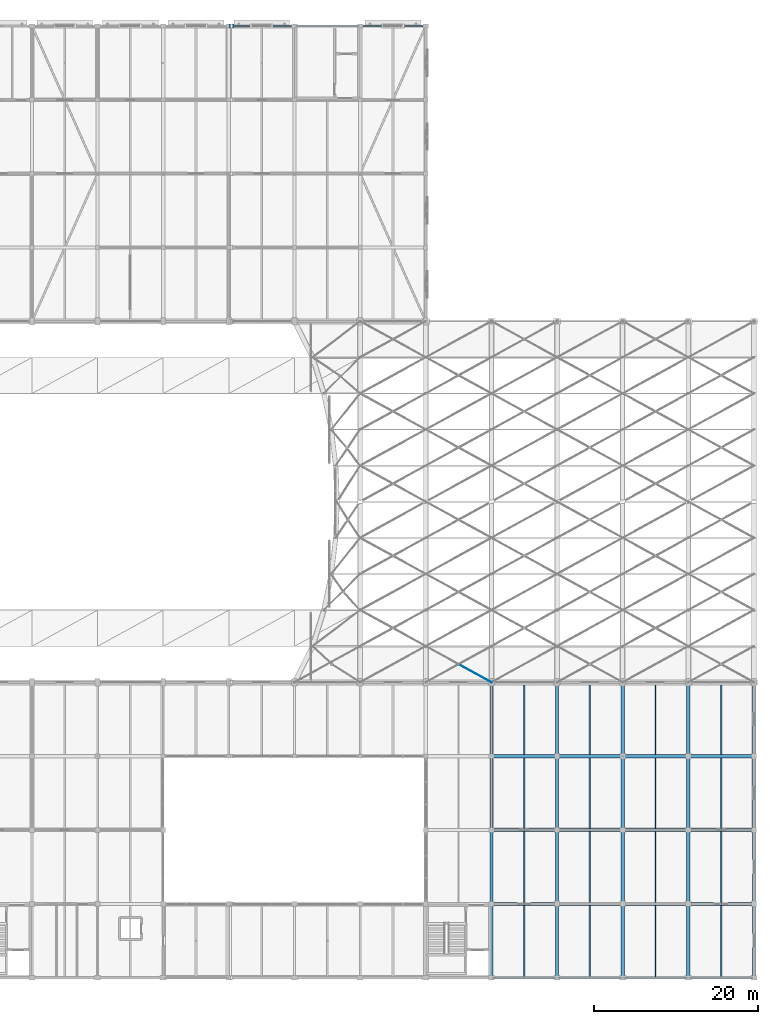
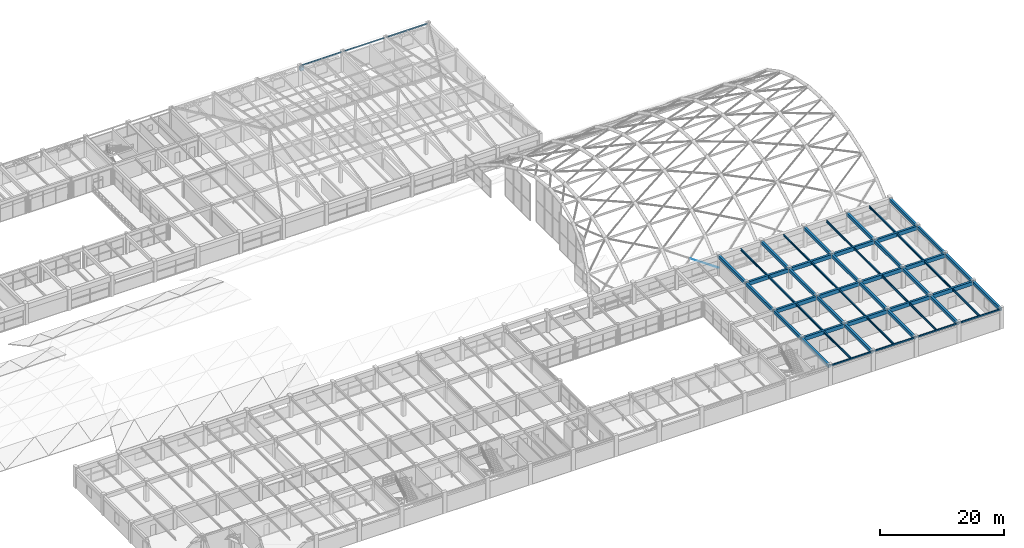
# One storey, part 77 of 126: 56 beams, 1 member.
"""IFC4 building model written with IfcOpenShell, lengths in metres."""

import ifcopenshell
import ifcopenshell.guid

model = None  # the IFC model being written
_history = None  # IfcOwnerHistory: only IFC2X3 demands one
_inside = {}  # id of a spatial element -> (the spatial element, [elements in it])
_under = {}  # id of a project, library or spatial element -> (it, [spatial elements below it])
_declared = {}  # id of a project -> (the project, [libraries it declares])
_typed = {}  # id of a type object -> (the type object, [elements of that type])
_made_of = {}  # id of a material, layer set ... -> (it, [elements and type objects made of it])


def new_model(schema):
    """Start an empty IFC model of exactly this schema.

    Asked for "IFC4X3", IfcOpenShell would pick the latest addendum, in which some entities
    have other attributes; the version numbers below select the first issue.
    IFC2X3 requires an IfcOwnerHistory on every rooted entity: one is made here for all.
    """
    global model, _history
    if schema == "IFC4X3":
        model = ifcopenshell.file(schema_version=(4, 3, 0, 0))
    else:
        model = ifcopenshell.file(schema=schema)
    _inside.clear()
    _under.clear()
    _declared.clear()
    _typed.clear()
    _made_of.clear()
    _history = None
    if model.schema == "IFC2X3":
        org = make("IfcOrganization", Name="unknown")
        user = make(
            "IfcPersonAndOrganization",
            ThePerson=make("IfcPerson", FamilyName="unknown"),
            TheOrganization=org,
        )
        app = make(
            "IfcApplication",
            ApplicationDeveloper=org,
            Version="unknown",
            ApplicationFullName="unknown",
            ApplicationIdentifier="unknown",
        )
        _history = make(
            "IfcOwnerHistory",
            OwningUser=user,
            OwningApplication=app,
            ChangeAction="ADDED",
            CreationDate=0,
        )
    return model


def make(cls, **values):
    """One entity of the class cls with the attributes given. An attribute that is None is left unset."""
    return model.create_entity(
        cls, **{name: value for name, value in values.items() if value is not None}
    )


def rooted(cls, **values):
    """An entity with a GlobalId (a new one), such as an element, a storey or a relation."""
    return make(cls, GlobalId=ifcopenshell.guid.new(), OwnerHistory=_history, **values)


def si_unit(unit_type, name, prefix=None):
    """IfcSIUnit, for example si_unit("LENGTHUNIT", "METRE", prefix="MILLI")."""
    return make("IfcSIUnit", UnitType=unit_type, Prefix=prefix, Name=name)


def assignment(units):
    """IfcUnitAssignment: the units of a project."""
    return None if units is None else make("IfcUnitAssignment", Units=units)


def point(xyz):
    """IfcCartesianPoint."""
    return None if xyz is None else make("IfcCartesianPoint", Coordinates=xyz)


def direction(xyz):
    """IfcDirection."""
    return None if xyz is None else make("IfcDirection", DirectionRatios=xyz)


def frame(location, z_axis=None, x_axis=None):
    """IfcAxis2Placement3D, a coordinate frame: its origin and axes. An axis left out is left unset."""
    return make(
        "IfcAxis2Placement3D",
        Location=point(location),
        Axis=direction(z_axis),
        RefDirection=direction(x_axis),
    )


def frame_2d(location, x_axis=None):
    """IfcAxis2Placement2D, a coordinate frame in the plane: its origin and x axis."""
    return make(
        "IfcAxis2Placement2D", Location=point(location), RefDirection=direction(x_axis)
    )


def origin():
    """The frame at (0, 0, 0) with its axes left unset."""
    return frame((0.0, 0.0, 0.0))


def origin_2d():
    """The frame at (0, 0) in the plane with its x axis left unset."""
    return frame_2d((0.0, 0.0))


def place(relative_to, where):
    """IfcLocalPlacement: puts the frame where relative to a parent placement (None: the world)."""
    return make(
        "IfcLocalPlacement", PlacementRelTo=relative_to, RelativePlacement=where
    )


def context(
    kind, dimensions, precision=None, world=None, true_north=None, identifier=None
):
    """IfcGeometricRepresentationContext, for example the 3D "Model" context."""
    return make(
        "IfcGeometricRepresentationContext",
        ContextIdentifier=identifier,
        ContextType=kind,
        CoordinateSpaceDimension=dimensions,
        Precision=precision,
        WorldCoordinateSystem=world,
        TrueNorth=true_north,
    )


def subcontext(parent, identifier, kind, view, scale=None):
    """IfcGeometricRepresentationSubContext, for example "Body" below "Model"."""
    return make(
        "IfcGeometricRepresentationSubContext",
        ContextIdentifier=identifier,
        ContextType=kind,
        ParentContext=parent,
        TargetScale=scale,
        TargetView=view,
    )


def project(units=None, contexts=None):
    """IfcProject with its units and contexts."""
    return rooted(
        "IfcProject",
        Name="project",
        RepresentationContexts=contexts,
        UnitsInContext=assignment(units),
    )


def spatial(cls, under=None, at=None, **own):
    """A site, building, storey or space (cls), placed at a placement, below another one or the project."""
    s = rooted(cls, ObjectPlacement=at, **own)
    if under is not None:
        _under.setdefault(under.id(), (under, []))[1].append(s)
    return s


def profile(cls, at=None, kind="AREA", **sizes):
    """A parametric profile (cls). Its sizes go by their IFC names, for example OverallWidth=200.0."""
    return make(cls, ProfileType=kind, Position=at, **sizes)


def rectangle(**sizes):
    """IfcRectangleProfileDef."""
    return profile("IfcRectangleProfileDef", **sizes)


def hollow_rectangle(**sizes):
    """IfcRectangleHollowProfileDef."""
    return profile("IfcRectangleHollowProfileDef", **sizes)


def circle(**sizes):
    """IfcCircleProfileDef."""
    return profile("IfcCircleProfileDef", **sizes)


def i_section(**sizes):
    """IfcIShapeProfileDef."""
    return profile("IfcIShapeProfileDef", **sizes)


def extrude(swept, where, along, depth):
    """IfcExtrudedAreaSolid: the profile swept, set in the frame where, extruded along a direction by depth."""
    return make(
        "IfcExtrudedAreaSolid",
        SweptArea=swept,
        Position=where,
        ExtrudedDirection=direction(along),
        Depth=depth,
    )


def shape(context_of_items, identifier, shape_type, items):
    """IfcShapeRepresentation: the items that make up one representation, for example the "Body"."""
    return make(
        "IfcShapeRepresentation",
        ContextOfItems=context_of_items,
        RepresentationIdentifier=identifier,
        RepresentationType=shape_type,
        Items=items,
    )


def material(Name=None, Category=None):
    """IfcMaterial."""
    return make("IfcMaterial", Name=Name, Category=Category)


def material_profile(
    of_material, cross_section, Name=None, Category=None, Priority=None
):
    """IfcMaterialProfile: a cross section and its material."""
    return make(
        "IfcMaterialProfile",
        Name=Name,
        Material=of_material,
        Profile=cross_section,
        Priority=Priority,
        Category=Category,
    )


def profile_set(profiles, Name=None, composite=None):
    """IfcMaterialProfileSet."""
    return make(
        "IfcMaterialProfileSet",
        Name=Name,
        MaterialProfiles=profiles,
        CompositeProfile=composite,
    )


def made_of(thing, what):
    """Note that an element or type object is made of a material, layer set ...; save() writes the relation."""
    if what is not None:
        _made_of.setdefault(what.id(), (what, []))[1].append(thing)
    return thing


def type_object(cls, material=None, **own):
    """A type object (cls), such as IfcWallType, which elements share."""
    return made_of(rooted(cls, **own), material)


def element(
    cls,
    number,
    at=None,
    inside=None,
    cuts=None,
    type_object=None,
    material=None,
    context=None,
    identifier="Body",
    shape_type=None,
    held_by="IfcProductDefinitionShape",
    body=None,
    shapes=None,
    **own,
):
    """One element of the class cls, such as IfcWall. Its Tag is "e" and its number.

    at: its placement. inside: the storey or other place that contains it. cuts: it is an
    opening in that element (IfcRelVoidsElement). A single representation is given by context,
    identifier, shape_type and body (its items); several are given by shapes. held_by: the class
    of the entity that holds the representations. save() writes the other relations.
    """
    e = rooted(cls, Tag="e%d" % number, ObjectPlacement=at, **own)
    if body is not None:
        shapes = [shape(context, identifier, shape_type, body)]
    if shapes is not None:
        e.Representation = make(held_by, Representations=shapes)
    if inside is not None:
        _inside.setdefault(inside.id(), (inside, []))[1].append(e)
    if cuts is not None:
        rooted(
            "IfcRelVoidsElement", RelatingBuildingElement=cuts, RelatedOpeningElement=e
        )
    if type_object is not None:
        _typed.setdefault(type_object.id(), (type_object, []))[1].append(e)
    return made_of(e, material)


def aggregate(whole, parts):
    """IfcRelAggregates: a whole, such as a stair, and the parts it consists of."""
    return rooted("IfcRelAggregates", RelatingObject=whole, RelatedObjects=parts)


def save(model, path):
    """Write the relations noted so far, then the file.

    IfcRelAggregates (storeys below a building ...), IfcRelContainedInSpatialStructure (elements
    in a storey), IfcRelDefinesByType, IfcRelAssociatesMaterial and IfcRelDeclares: one each for
    every whole, place, type object, material and project.
    """
    for whole, parts in _under.values():
        aggregate(whole, parts)
    for where, things in _inside.values():
        rooted(
            "IfcRelContainedInSpatialStructure",
            RelatedElements=things,
            RelatingStructure=where,
        )
    for kind, things in _typed.values():
        rooted("IfcRelDefinesByType", RelatedObjects=things, RelatingType=kind)
    for what, things in _made_of.values():
        rooted("IfcRelAssociatesMaterial", RelatedObjects=things, RelatingMaterial=what)
    for by, libraries in _declared.values():
        rooted("IfcRelDeclares", RelatingContext=by, RelatedDefinitions=libraries)
    model.write(path)


model = new_model("IFC4")

# Units and contexts
model_context = context("Model", 3, precision=1e-05, world=origin(), true_north=direction((0.0, 1.0)))
body_context = subcontext(model_context, "Body", "Model", "MODEL_VIEW")
ifc_project = project(units=[si_unit("LENGTHUNIT", "METRE"), si_unit("AREAUNIT", "SQUARE_METRE"), si_unit("VOLUMEUNIT", "CUBIC_METRE"), si_unit("PLANEANGLEUNIT", "RADIAN"), si_unit("MASSUNIT", "GRAM", prefix="KILO")], contexts=[model_context])

# Site, building, storey
site_placement = place(None, origin())
site = spatial("IfcSite", under=ifc_project, at=site_placement, CompositionType="ELEMENT")
building_placement = place(site_placement, origin())
building = spatial("IfcBuilding", under=site, at=building_placement, Name="Varnabhumi Central Station", CompositionType="ELEMENT")
storey_placement = place(building_placement, frame((0.0, 0.0, 16.199951171875)))
storey = spatial("IfcBuildingStorey", under=building, at=storey_placement, Name="L03", CompositionType="ELEMENT", Elevation=16.199951171875)

# Beams
ifc_material_1 = material(Name="Structural steel E350", Category="steel")
ifc_material_profile_1 = material_profile(ifc_material_1, hollow_rectangle(XDim=0.14990234375, YDim=0.25, WallThickness=0.010009765625, InnerFilletRadius=0.010009765625, OuterFilletRadius=0.02001953125, at=origin_2d()), Name="Structural steel E350", Category="steel")
ifc_profile_set_1 = profile_set([ifc_material_profile_1], Name="Structural steel E350")
beam_type_1 = type_object("IfcBeamType", Name="BM-EDGE-RHS250", PredefinedType="SPANDREL", material=ifc_profile_set_1)
for number, where, z_axis, x_axis, name in (
    (1, (120.10009765625, 116.0, 3.824951171875), (1.0, 0.0, 0.0), (0.0, 1.0, 0.0), "Beam L03-P:16-17"),
    (2, (128.10009765625, 116.0, 3.824951171875), (1.0, 0.0, 0.0), (0.0, 1.0, 0.0), "Beam L03-P:17-18"),
    (3, (136.10009765625, 116.0, 3.824951171875), (1.0, 0.0, 0.0), (0.0, 1.0, 0.0), "Beam L03-P:18-19"),
):
    element("IfcBeam", number, at=place(storey_placement, frame(where, z_axis=z_axis, x_axis=x_axis)), inside=storey, type_object=beam_type_1, Name=name, PredefinedType="SPANDREL", context=body_context, shape_type="SweptSolid", body=[
        extrude(hollow_rectangle(XDim=0.14990234375, YDim=0.25, WallThickness=0.010009765625, InnerFilletRadius=0.010009765625, OuterFilletRadius=0.02001953125, at=origin_2d()), origin(), (0.0, 0.0, 1.0), 7.7998046875),
    ])
ifc_material_profile_2 = material_profile(ifc_material_1, hollow_rectangle(XDim=0.199951171875, YDim=0.300048828125, WallThickness=0.011962890625, InnerFilletRadius=0.011962890625, OuterFilletRadius=0.02392578125, at=origin_2d()), Name="Structural steel E350", Category="steel")
ifc_profile_set_2 = profile_set([ifc_material_profile_2], Name="Structural steel E350")
beam_type_2 = type_object("IfcBeamType", Name="BM-EDGE-RHS300", PredefinedType="SPANDREL", material=ifc_profile_set_2)
for number, where, z_axis, x_axis, name in (
    (4, (152.10009765625, 0.0, 3.77001953125), (1.0, 0.0, 0.0), (0.0, 1.0, 0.0), "Beam L03-A:20-21"),
    (5, (160.10009765625, 0.0, 3.77001953125), (1.0, 0.0, 0.0), (0.0, 1.0, 0.0), "Beam L03-A:21-22"),
    (6, (168.10009765625, 0.0, 3.77001953125), (1.0, 0.0, 0.0), (0.0, 1.0, 0.0), "Beam L03-A:22-23"),
    (7, (176.10009765625, 0.0, 3.77001953125), (1.0, 0.0, 0.0), (0.0, 1.0, 0.0), "Beam L03-A:23-24"),
):
    element("IfcBeam", number, at=place(storey_placement, frame(where, z_axis=z_axis, x_axis=x_axis)), inside=storey, type_object=beam_type_2, Name=name, PredefinedType="SPANDREL", context=body_context, shape_type="SweptSolid", body=[
        extrude(hollow_rectangle(XDim=0.199951171875, YDim=0.300048828125, WallThickness=0.011962890625, InnerFilletRadius=0.011962890625, OuterFilletRadius=0.02392578125, at=origin_2d()), origin(), (0.0, 0.0, 1.0), 7.7998046875),
    ])
ifc_material_profile_3 = material_profile(ifc_material_1, i_section(OverallWidth=0.14990234375, OverallDepth=0.449951171875, WebThickness=0.009521484375, FlangeThickness=0.017333984375, FilletRadius=0.014892578125, at=origin_2d()), Name="Structural steel E350", Category="steel")
ifc_profile_set_3 = profile_set([ifc_material_profile_3], Name="Structural steel E350")
beam_type_3 = type_object("IfcBeamType", Name="BM-JST-ISMB450", PredefinedType="JOIST", material=ifc_profile_set_3)
beam_1_placement = place(storey_placement, frame((172.0, 0.10009765625, 3.695068359375), z_axis=(0.0, 1.0, 0.0), x_axis=(-1.0, 0.0, 0.0)))
element("IfcBeam", 8, at=beam_1_placement, inside=storey, type_object=beam_type_3, Name="Secondary Joist L03-22/23:A-B", PredefinedType="JOIST", context=body_context, shape_type="SweptSolid", body=[
    extrude(i_section(OverallWidth=0.14990234375, OverallDepth=0.449951171875, WebThickness=0.009521484375, FlangeThickness=0.017333984375, FilletRadius=0.014892578125, at=origin_2d()), origin(), (0.0, 0.0, 1.0), 8.699951171875),
])
for number, where, z_axis, x_axis, name in (
    (9, (172.0, 9.199951171875, 3.695068359375), (0.0, 1.0, 0.0), (-1.0, 0.0, 0.0), "Secondary Joist L03-22/23:B-C"),
    (10, (172.0, 18.199951171875, 3.695068359375), (0.0, 1.0, 0.0), (-1.0, 0.0, 0.0), "Secondary Joist L03-22/23:C-D"),
):
    element("IfcBeam", number, at=place(storey_placement, frame(where, z_axis=z_axis, x_axis=x_axis)), inside=storey, type_object=beam_type_3, Name=name, PredefinedType="JOIST", context=body_context, shape_type="SweptSolid", body=[
        extrude(i_section(OverallWidth=0.14990234375, OverallDepth=0.449951171875, WebThickness=0.009521484375, FlangeThickness=0.017333984375, FilletRadius=0.014892578125, at=origin_2d()), origin(), (0.0, 0.0, 1.0), 8.60009765625),
    ])
beam_2_placement = place(storey_placement, frame((172.0, 27.199951171875, 3.695068359375), z_axis=(0.0, 1.0, 0.0), x_axis=(-1.0, 0.0, 0.0)))
element("IfcBeam", 11, at=beam_2_placement, inside=storey, type_object=beam_type_3, Name="Secondary Joist L03-22/23:D-E", PredefinedType="JOIST", context=body_context, shape_type="SweptSolid", body=[
    extrude(i_section(OverallWidth=0.14990234375, OverallDepth=0.449951171875, WebThickness=0.009521484375, FlangeThickness=0.017333984375, FilletRadius=0.014892578125, at=origin_2d()), origin(), (0.0, 0.0, 1.0), 8.5),
])
ifc_material_2 = material(Name="Concrete M40", Category="concrete")
ifc_material_profile_4 = material_profile(ifc_material_2, rectangle(XDim=0.39990234375, YDim=0.60009765625, at=origin_2d()), Name="Concrete M40", Category="concrete")
ifc_profile_set_4 = profile_set([ifc_material_profile_4], Name="Concrete M40")
beam_type_4 = type_object("IfcBeamType", Name="BM-RC-400x600", PredefinedType="BEAM", material=ifc_profile_set_4)
for number, where, z_axis, x_axis, name in (
    (12, (152.0, 0.10009765625, 3.6201171875), (0.0, 1.0, 0.0), (-1.0, 0.0, 0.0), "Beam L03-20:A-B"),
    (13, (160.0, 0.10009765625, 3.6201171875), (0.0, 1.0, 0.0), (-1.0, 0.0, 0.0), "Beam L03-21:A-B"),
    (14, (168.0, 0.10009765625, 3.6201171875), (0.0, 1.0, 0.0), (-1.0, 0.0, 0.0), "Beam L03-22:A-B"),
    (15, (176.0, 0.10009765625, 3.6201171875), (0.0, 1.0, 0.0), (-1.0, 0.0, 0.0), "Beam L03-23:A-B"),
    (16, (184.0, 0.10009765625, 3.6201171875), (0.0, 1.0, 0.0), (-1.0, 0.0, 0.0), "Beam L03-24:A-B"),
    (17, (152.0, 9.10009765625, 3.6201171875), (0.0, 1.0, 0.0), (-1.0, 0.0, 0.0), "Beam L03-20:B-C"),
    (18, (160.0, 9.10009765625, 3.6201171875), (0.0, 1.0, 0.0), (-1.0, 0.0, 0.0), "Beam L03-21:B-C"),
    (19, (168.0, 9.10009765625, 3.6201171875), (0.0, 1.0, 0.0), (-1.0, 0.0, 0.0), "Beam L03-22:B-C"),
    (20, (176.0, 9.10009765625, 3.6201171875), (0.0, 1.0, 0.0), (-1.0, 0.0, 0.0), "Beam L03-23:B-C"),
    (21, (184.0, 9.10009765625, 3.6201171875), (0.0, 1.0, 0.0), (-1.0, 0.0, 0.0), "Beam L03-24:B-C"),
    (22, (152.0, 18.10009765625, 3.6201171875), (0.0, 1.0, 0.0), (-1.0, 0.0, 0.0), "Beam L03-20:C-D"),
    (23, (160.0, 18.10009765625, 3.6201171875), (0.0, 1.0, 0.0), (-1.0, 0.0, 0.0), "Beam L03-21:C-D"),
    (24, (168.0, 18.10009765625, 3.6201171875), (0.0, 1.0, 0.0), (-1.0, 0.0, 0.0), "Beam L03-22:C-D"),
    (25, (176.0, 18.10009765625, 3.6201171875), (0.0, 1.0, 0.0), (-1.0, 0.0, 0.0), "Beam L03-23:C-D"),
    (26, (184.0, 18.10009765625, 3.6201171875), (0.0, 1.0, 0.0), (-1.0, 0.0, 0.0), "Beam L03-24:C-D"),
    (27, (152.0, 27.10009765625, 3.6201171875), (0.0, 1.0, 0.0), (-1.0, 0.0, 0.0), "Beam L03-20:D-E"),
    (28, (160.0, 27.10009765625, 3.6201171875), (0.0, 1.0, 0.0), (-1.0, 0.0, 0.0), "Beam L03-21:D-E"),
    (29, (168.0, 27.10009765625, 3.6201171875), (0.0, 1.0, 0.0), (-1.0, 0.0, 0.0), "Beam L03-22:D-E"),
    (30, (176.0, 27.10009765625, 3.6201171875), (0.0, 1.0, 0.0), (-1.0, 0.0, 0.0), "Beam L03-23:D-E"),
    (31, (184.0, 27.10009765625, 3.6201171875), (0.0, 1.0, 0.0), (-1.0, 0.0, 0.0), "Beam L03-24:D-E"),
):
    element("IfcBeam", number, at=place(storey_placement, frame(where, z_axis=z_axis, x_axis=x_axis)), inside=storey, type_object=beam_type_4, Name=name, PredefinedType="BEAM", context=body_context, shape_type="SweptSolid", body=[
        extrude(rectangle(XDim=0.39990234375, YDim=0.60009765625, at=origin_2d()), origin(), (0.0, 0.0, 1.0), 8.7998046875),
    ])
ifc_material_profile_5 = material_profile(ifc_material_2, rectangle(XDim=0.39990234375, YDim=0.75, at=origin_2d()), Name="Concrete M40", Category="concrete")
ifc_profile_set_5 = profile_set([ifc_material_profile_5], Name="Concrete M40")
beam_type_5 = type_object("IfcBeamType", Name="BM-RC-400x750", PredefinedType="BEAM", material=ifc_profile_set_5)
for number, where, z_axis, x_axis, name in (
    (32, (152.10009765625, 9.0, 3.545166015625), (1.0, 0.0, 0.0), (0.0, 1.0, 0.0), "Beam L03-B:20-21"),
    (33, (152.10009765625, 18.0, 3.545166015625), (1.0, 0.0, 0.0), (0.0, 1.0, 0.0), "Beam L03-C:20-21"),
    (34, (152.10009765625, 27.0, 3.545166015625), (1.0, 0.0, 0.0), (0.0, 1.0, 0.0), "Beam L03-D:20-21"),
    (35, (160.10009765625, 9.0, 3.545166015625), (1.0, 0.0, 0.0), (0.0, 1.0, 0.0), "Beam L03-B:21-22"),
    (36, (160.10009765625, 18.0, 3.545166015625), (1.0, 0.0, 0.0), (0.0, 1.0, 0.0), "Beam L03-C:21-22"),
    (37, (160.10009765625, 27.0, 3.545166015625), (1.0, 0.0, 0.0), (0.0, 1.0, 0.0), "Beam L03-D:21-22"),
    (38, (168.10009765625, 9.0, 3.545166015625), (1.0, 0.0, 0.0), (0.0, 1.0, 0.0), "Beam L03-B:22-23"),
    (39, (168.10009765625, 18.0, 3.545166015625), (1.0, 0.0, 0.0), (0.0, 1.0, 0.0), "Beam L03-C:22-23"),
    (40, (168.10009765625, 27.0, 3.545166015625), (1.0, 0.0, 0.0), (0.0, 1.0, 0.0), "Beam L03-D:22-23"),
    (41, (176.10009765625, 9.0, 3.545166015625), (1.0, 0.0, 0.0), (0.0, 1.0, 0.0), "Beam L03-B:23-24"),
    (42, (176.10009765625, 18.0, 3.545166015625), (1.0, 0.0, 0.0), (0.0, 1.0, 0.0), "Beam L03-C:23-24"),
    (43, (176.10009765625, 27.0, 3.545166015625), (1.0, 0.0, 0.0), (0.0, 1.0, 0.0), "Beam L03-D:23-24"),
):
    element("IfcBeam", number, at=place(storey_placement, frame(where, z_axis=z_axis, x_axis=x_axis)), inside=storey, type_object=beam_type_5, Name=name, PredefinedType="BEAM", context=body_context, shape_type="SweptSolid", body=[
        extrude(rectangle(XDim=0.39990234375, YDim=0.75, at=origin_2d()), origin(), (0.0, 0.0, 1.0), 7.7998046875),
    ])
ifc_material_profile_6 = material_profile(ifc_material_2, rectangle(XDim=0.449951171875, YDim=0.75, at=origin_2d()), Name="Concrete M40", Category="concrete")
ifc_profile_set_6 = profile_set([ifc_material_profile_6], Name="Concrete M40")
beam_type_6 = type_object("IfcBeamType", Name="BM-RC-450x750", PredefinedType="BEAM", material=ifc_profile_set_6)
beam_3_placement = place(storey_placement, frame((120.0, 116.0, 3.2451171875), z_axis=(1.0, 0.0, 0.0), x_axis=(0.0, 1.0, 0.0)))
element("IfcBeam", 44, at=beam_3_placement, inside=storey, type_object=beam_type_6, Name="Movement Joint 650mm Corbel Seat L03-P-16", PredefinedType="BEAM", context=body_context, shape_type="SweptSolid", body=[
    extrude(rectangle(XDim=0.449951171875, YDim=0.75, at=origin_2d()), origin(), (0.0, 0.0, 1.0), 0.64990234375),
])
ifc_material_profile_7 = material_profile(ifc_material_1, i_section(OverallWidth=0.199951171875, OverallDepth=0.39990234375, WebThickness=0.008544921875, FlangeThickness=0.012939453125, FilletRadius=0.012939453125, at=origin_2d()), Name="Structural steel E350", Category="steel")
ifc_profile_set_7 = profile_set([ifc_material_profile_7], Name="Structural steel E350")
beam_type_7 = type_object("IfcBeamType", Name="BM-SEC-ISWB400", PredefinedType="JOIST", material=ifc_profile_set_7)
for number, where, z_axis, x_axis, name in (
    (45, (156.0, 0.10009765625, 3.719970703125), (0.0, 1.0, 0.0), (-1.0, 0.0, 0.0), "Secondary Joist L03-20/21:A-B"),
    (46, (180.0, 0.10009765625, 3.719970703125), (0.0, 1.0, 0.0), (-1.0, 0.0, 0.0), "Secondary Joist L03-23/24:A-B"),
):
    element("IfcBeam", number, at=place(storey_placement, frame(where, z_axis=z_axis, x_axis=x_axis)), inside=storey, type_object=beam_type_7, Name=name, PredefinedType="JOIST", context=body_context, shape_type="SweptSolid", body=[
        extrude(i_section(OverallWidth=0.199951171875, OverallDepth=0.39990234375, WebThickness=0.008544921875, FlangeThickness=0.012939453125, FilletRadius=0.012939453125, at=origin_2d()), origin(), (0.0, 0.0, 1.0), 8.699951171875),
    ])
for number, where, z_axis, x_axis, name in (
    (47, (156.0, 9.199951171875, 3.719970703125), (0.0, 1.0, 0.0), (-1.0, 0.0, 0.0), "Secondary Joist L03-20/21:B-C"),
    (48, (180.0, 9.199951171875, 3.719970703125), (0.0, 1.0, 0.0), (-1.0, 0.0, 0.0), "Secondary Joist L03-23/24:B-C"),
    (49, (156.0, 18.199951171875, 3.719970703125), (0.0, 1.0, 0.0), (-1.0, 0.0, 0.0), "Secondary Joist L03-20/21:C-D"),
    (50, (180.0, 18.199951171875, 3.719970703125), (0.0, 1.0, 0.0), (-1.0, 0.0, 0.0), "Secondary Joist L03-23/24:C-D"),
):
    element("IfcBeam", number, at=place(storey_placement, frame(where, z_axis=z_axis, x_axis=x_axis)), inside=storey, type_object=beam_type_7, Name=name, PredefinedType="JOIST", context=body_context, shape_type="SweptSolid", body=[
        extrude(i_section(OverallWidth=0.199951171875, OverallDepth=0.39990234375, WebThickness=0.008544921875, FlangeThickness=0.012939453125, FilletRadius=0.012939453125, at=origin_2d()), origin(), (0.0, 0.0, 1.0), 8.60009765625),
    ])
for number, where, z_axis, x_axis, name in (
    (51, (156.0, 27.199951171875, 3.719970703125), (0.0, 1.0, 0.0), (-1.0, 0.0, 0.0), "Secondary Joist L03-20/21:D-E"),
    (52, (180.0, 27.199951171875, 3.719970703125), (0.0, 1.0, 0.0), (-1.0, 0.0, 0.0), "Secondary Joist L03-23/24:D-E"),
):
    element("IfcBeam", number, at=place(storey_placement, frame(where, z_axis=z_axis, x_axis=x_axis)), inside=storey, type_object=beam_type_7, Name=name, PredefinedType="JOIST", context=body_context, shape_type="SweptSolid", body=[
        extrude(i_section(OverallWidth=0.199951171875, OverallDepth=0.39990234375, WebThickness=0.008544921875, FlangeThickness=0.012939453125, FilletRadius=0.012939453125, at=origin_2d()), origin(), (0.0, 0.0, 1.0), 8.5),
    ])
ifc_material_profile_8 = material_profile(ifc_material_1, i_section(OverallWidth=0.199951171875, OverallDepth=0.35009765625, WebThickness=0.008056640625, FlangeThickness=0.011474609375, FilletRadius=0.011962890625, at=origin_2d()), Name="Structural steel E350", Category="steel")
ifc_profile_set_8 = profile_set([ifc_material_profile_8], Name="Structural steel E350")
beam_type_8 = type_object("IfcBeamType", Name="BM-STL-ISWB350", PredefinedType="JOIST", material=ifc_profile_set_8)
beam_4_placement = place(storey_placement, frame((164.0, 0.10009765625, 3.7451171875), z_axis=(0.0, 1.0, 0.0), x_axis=(-1.0, 0.0, 0.0)))
element("IfcBeam", 53, at=beam_4_placement, inside=storey, type_object=beam_type_8, Name="Secondary Joist L03-21/22:A-B", PredefinedType="JOIST", context=body_context, shape_type="SweptSolid", body=[
    extrude(i_section(OverallWidth=0.199951171875, OverallDepth=0.35009765625, WebThickness=0.008056640625, FlangeThickness=0.011474609375, FilletRadius=0.011962890625, at=origin_2d()), origin(), (0.0, 0.0, 1.0), 8.699951171875),
])
for number, where, z_axis, x_axis, name in (
    (54, (164.0, 9.199951171875, 3.7451171875), (0.0, 1.0, 0.0), (-1.0, 0.0, 0.0), "Secondary Joist L03-21/22:B-C"),
    (55, (164.0, 18.199951171875, 3.7451171875), (0.0, 1.0, 0.0), (-1.0, 0.0, 0.0), "Secondary Joist L03-21/22:C-D"),
):
    element("IfcBeam", number, at=place(storey_placement, frame(where, z_axis=z_axis, x_axis=x_axis)), inside=storey, type_object=beam_type_8, Name=name, PredefinedType="JOIST", context=body_context, shape_type="SweptSolid", body=[
        extrude(i_section(OverallWidth=0.199951171875, OverallDepth=0.35009765625, WebThickness=0.008056640625, FlangeThickness=0.011474609375, FilletRadius=0.011962890625, at=origin_2d()), origin(), (0.0, 0.0, 1.0), 8.60009765625),
    ])
beam_5_placement = place(storey_placement, frame((164.0, 27.199951171875, 3.7451171875), z_axis=(0.0, 1.0, 0.0), x_axis=(-1.0, 0.0, 0.0)))
element("IfcBeam", 56, at=beam_5_placement, inside=storey, type_object=beam_type_8, Name="Secondary Joist L03-21/22:D-E", PredefinedType="JOIST", context=body_context, shape_type="SweptSolid", body=[
    extrude(i_section(OverallWidth=0.199951171875, OverallDepth=0.35009765625, WebThickness=0.008056640625, FlangeThickness=0.011474609375, FilletRadius=0.011962890625, at=origin_2d()), origin(), (0.0, 0.0, 1.0), 8.5),
])

# Member
ifc_material_3 = material(Name="Spiral-strand steel S1570", Category="steel")
ifc_material_profile_9 = material_profile(ifc_material_3, circle(Radius=0.030029296875, at=origin_2d()), Name="Spiral-strand steel S1570", Category="steel")
ifc_profile_set_9 = profile_set([ifc_material_profile_9], Name="Spiral-strand steel S1570")
member_type = type_object("IfcMemberType", Name="MBR-CABLE-D60", PredefinedType="USERDEFINED", material=ifc_profile_set_9)
member_placement = place(storey_placement, frame((148.0, 38.199951171875, 3.143310546875), z_axis=(0.810623868746, -0.4458332325, -0.379633602593), x_axis=(0.481910537812, 0.876220425204, 0.0)))
element("IfcMember", 57, at=member_placement, inside=storey, type_object=member_type, Name="Platform Train-Shed Vault Cable-Net Split Tie B3-P1B2", ObjectType="TENSION CABLE", PredefinedType="USERDEFINED", context=body_context, shape_type="SweptSolid", body=[
    extrude(circle(Radius=0.030029296875, at=origin_2d()), origin(), (0.0, 0.0, 1.0), 4.9345703125),
])

save(model, "model.ifc")
